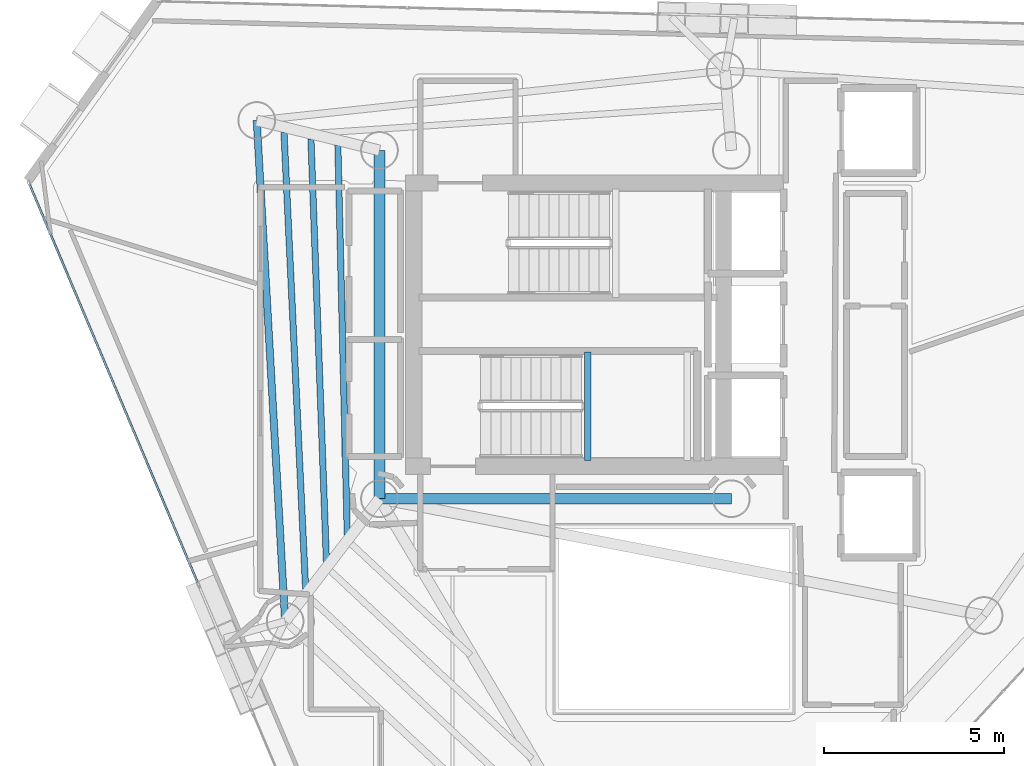
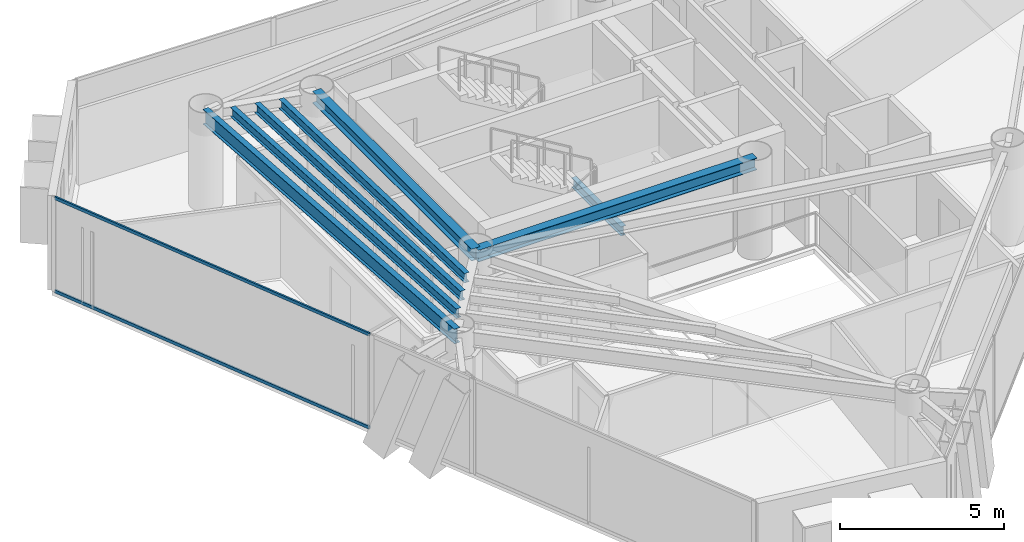
# One storey, part 7 of 21: 7 beams, 2 members, 1 element without a shape of its own.
"""IFC4 building model written with IfcOpenShell, lengths in metres."""

from ifc_helpers import new_model, si_unit, direction, frame, origin, origin_2d, place, context, subcontext, project, spatial, hollow_rectangle, i_section, extrude, material, layer, layer_set, material_profile, profile_set, type_object, element, aggregate, save


model = new_model("IFC4")

# Units and contexts
model_context = context("Model", 3, precision=1e-05, world=origin(), true_north=direction((0.0, 1.0)))
body_context = subcontext(model_context, "Body", "Model", "MODEL_VIEW")
ifc_project = project(units=[si_unit("LENGTHUNIT", "METRE"), si_unit("AREAUNIT", "SQUARE_METRE"), si_unit("VOLUMEUNIT", "CUBIC_METRE"), si_unit("PLANEANGLEUNIT", "RADIAN"), si_unit("MASSUNIT", "GRAM", prefix="KILO")], contexts=[model_context])

# Site, building, storey
site_placement = place(None, origin())
site = spatial("IfcSite", under=ifc_project, at=site_placement, CompositionType="ELEMENT")
building_placement = place(site_placement, origin())
building = spatial("IfcBuilding", under=site, at=building_placement, Name="Qianvela Tower", CompositionType="ELEMENT")
storey_placement = place(building_placement, frame((0.0, 0.0, 246.39990234375)))
storey = spatial("IfcBuildingStorey", under=building, at=storey_placement, Name="L63", CompositionType="ELEMENT", Elevation=246.39990234375)

# Beams
ifc_material_1 = material(Name="Steel Q355B", Category="steel")
ifc_material_profile_1 = material_profile(ifc_material_1, i_section(OverallWidth=0.300048828125, OverallDepth=0.43994140625, WebThickness=0.010986328125, FlangeThickness=0.01806640625, at=origin_2d()), Name="HM440x300x11x18")
ifc_profile_set_1 = profile_set([ifc_material_profile_1], Name="Steel Q355B")
beam_type_1 = type_object("IfcBeamType", Name="BM-HM440-COLL", PredefinedType="BEAM", material=ifc_profile_set_1)
beam_1_placement = place(storey_placement, frame((28.60009765625, 23.85009765625, 3.298095703125), z_axis=(1.0, 0.0, 0.0), x_axis=(0.0, 1.0, 0.0)))
element("IfcBeam", 1, at=beam_1_placement, inside=storey, type_object=beam_type_1, Name="L63 Core Ring Collector Girder CC1", PredefinedType="BEAM", context=body_context, shape_type="SweptSolid", body=[
    extrude(i_section(OverallWidth=0.300048828125, OverallDepth=0.43994140625, WebThickness=0.010986328125, FlangeThickness=0.01806640625, at=origin_2d()), origin(), (0.0, 0.0, 1.0), 9.7998046875),
])
beam_2_placement = place(storey_placement, frame((28.60009765625, 33.550048828125, 3.298095703125), z_axis=(0.0, -1.0, 0.0), x_axis=(1.0, 0.0, 0.0)))
element("IfcBeam", 2, at=beam_2_placement, inside=storey, type_object=beam_type_1, Name="L63 Core Ring Collector Girder CC2", PredefinedType="BEAM", context=body_context, shape_type="SweptSolid", body=[
    extrude(i_section(OverallWidth=0.300048828125, OverallDepth=0.43994140625, WebThickness=0.010986328125, FlangeThickness=0.01806640625, at=origin_2d()), origin(), (0.0, 0.0, 1.0), 9.699951171875),
])
ifc_material_2 = material(Name="Steel Q355B", Category="steel")
ifc_material_profile_2 = material_profile(ifc_material_2, i_section(OverallWidth=0.175048828125, OverallDepth=0.35009765625, WebThickness=0.007080078125, FlangeThickness=0.010986328125, at=origin_2d()), Name="HN350x175x7x11")
ifc_profile_set_2 = profile_set([ifc_material_profile_2], Name="Steel Q355B")
beam_type_2 = type_object("IfcBeamType", Name="BM-HN350-JOIST", PredefinedType="JOIST", material=ifc_profile_set_2)
beam_3_placement = place(storey_placement, frame((27.44140625, 33.6875, 3.343017578125), z_axis=(0.024087497273, -0.999709854145, 0.0), x_axis=(0.999709854145, 0.024087497273, 0.0)))
element("IfcBeam", 3, at=beam_3_placement, inside=storey, type_object=beam_type_2, Name="L63 Secondary Composite Floor Joist 3.1", PredefinedType="JOIST", context=body_context, shape_type="SweptSolid", body=[
    extrude(i_section(OverallWidth=0.175048828125, OverallDepth=0.35009765625, WebThickness=0.007080078125, FlangeThickness=0.010986328125, at=origin_2d()), origin(), (0.0, 0.0, 1.0), 10.855224609375),
])
beam_4_placement = place(storey_placement, frame((26.69140625, 33.87109375, 3.343017578125), z_axis=(0.036597460417, -0.999330088555, 0.0), x_axis=(0.999330088555, 0.036597460417, 0.0)))
element("IfcBeam", 4, at=beam_4_placement, inside=storey, type_object=beam_type_2, Name="L63 Secondary Composite Floor Joist 3.2", PredefinedType="JOIST", context=body_context, shape_type="SweptSolid", body=[
    extrude(i_section(OverallWidth=0.175048828125, OverallDepth=0.35009765625, WebThickness=0.007080078125, FlangeThickness=0.010986328125, at=origin_2d()), origin(), (0.0, 0.0, 1.0), 11.794189453125),
])
beam_5_placement = place(storey_placement, frame((25.94091796875, 34.0546875, 3.343017578125), z_axis=(0.04729372403, -0.998881025782, 0.0), x_axis=(0.998881025782, 0.04729372403, 0.0)))
element("IfcBeam", 5, at=beam_5_placement, inside=storey, type_object=beam_type_2, Name="L63 Secondary Composite Floor Joist 3.3", PredefinedType="JOIST", context=body_context, shape_type="SweptSolid", body=[
    extrude(i_section(OverallWidth=0.175048828125, OverallDepth=0.35009765625, WebThickness=0.007080078125, FlangeThickness=0.010986328125, at=origin_2d()), origin(), (0.0, 0.0, 1.0), 12.735107421875),
])
beam_6_placement = place(storey_placement, frame((34.39990234375, 24.919921875, 1.47509765625), z_axis=(0.0, 1.0, 0.0), x_axis=(-1.0, 0.0, 0.0)))
element("IfcBeam", 6, at=beam_6_placement, inside=storey, type_object=beam_type_2, Name="L63 Stair ST-2 Landing Support Beam 1.1", PredefinedType="JOIST", context=body_context, shape_type="SweptSolid", body=[
    extrude(i_section(OverallWidth=0.175048828125, OverallDepth=0.35009765625, WebThickness=0.007080078125, FlangeThickness=0.010986328125, at=origin_2d()), origin(), (0.0, 0.0, 1.0), 3.02001953125),
])
ifc_material_3 = material(Name="Steel Q355B", Category="steel")
ifc_material_profile_3 = material_profile(ifc_material_3, i_section(OverallWidth=0.199951171875, OverallDepth=0.550048828125, WebThickness=0.010009765625, FlangeThickness=0.01611328125, at=origin_2d()), Name="HN550x200x10x16")
ifc_profile_set_3 = profile_set([ifc_material_profile_3], Name="Steel Q355B")
beam_type_3 = type_object("IfcBeamType", Name="BM-HN550-GIRD", PredefinedType="BEAM", material=ifc_profile_set_3)
beam_7_placement = place(storey_placement, frame((25.181884765625, 34.384033203125, 3.2431640625), z_axis=(0.056555056691, -0.998399481952, 0.0), x_axis=(0.998399481952, 0.056555056691, 0.0)))
element("IfcBeam", 7, at=beam_7_placement, inside=storey, type_object=beam_type_3, Name="L63 Perimeter Ring Spandrel Girder 3", PredefinedType="BEAM", context=body_context, shape_type="SweptSolid", body=[
    extrude(i_section(OverallWidth=0.199951171875, OverallDepth=0.550048828125, WebThickness=0.010009765625, FlangeThickness=0.01611328125, at=origin_2d()), origin(), (0.0, 0.0, 1.0), 13.969482421875),
])

# Curtain wall, members
ifc_material_4 = material(Name="Anodised Architectural Aluminium and Low-E Glass", Category="aluminium")
ifc_layer = layer(ifc_material_4, 0.159912109375)
ifc_layer_set = layer_set([ifc_layer], Name="Anodised Architectural Aluminium and Low-E Glass")
curtain_wall_type = type_object("IfcCurtainWallType", Name="CW-COLIV-Z56", PredefinedType="USERDEFINED", material=ifc_layer_set)
curtain_wall_placement = place(storey_placement, origin())
curtain_wall = element("IfcCurtainWall", 8, at=curtain_wall_placement, inside=storey, type_object=curtain_wall_type, Name="L63 CW-COLIV-Z56 Curtain Wall 04A", ObjectType="CURTAIN_WALL_SYSTEM", PredefinedType="USERDEFINED")
ifc_material_5 = material(Name="Anodised Architectural Aluminium 6063-T6", Category="aluminium")
ifc_material_profile_4 = material_profile(ifc_material_5, hollow_rectangle(XDim=0.06005859375, YDim=0.114990234375, WallThickness=0.00390625, at=origin_2d()), Name="ALU-TRAN-60x115")
ifc_profile_set_4 = profile_set([ifc_material_profile_4], Name="Anodised Architectural Aluminium 6063-T6")
member_type = type_object("IfcMemberType", Name="CW-COLIV-Z56-TRAN", PredefinedType="USERDEFINED", material=ifc_profile_set_4)
member_1_placement = place(storey_placement, frame((18.85400390625, 32.603271484375, 0.030029296875), z_axis=(0.388816888513, -0.921315053175, 0.0), x_axis=(0.921315053175, 0.388816888513, 0.0)))
member_1 = element("IfcMember", 9, at=member_1_placement, type_object=member_type, Name="CW-5 transom 1.1", ObjectType="TRANSOM", PredefinedType="USERDEFINED", context=body_context, shape_type="SweptSolid", body=[
    extrude(hollow_rectangle(XDim=0.06005859375, YDim=0.114990234375, WallThickness=0.00390625, at=origin_2d()), origin(), (0.0, 0.0, 1.0), 12.02001953125),
])
member_2_placement = place(storey_placement, frame((18.85400390625, 32.603271484375, 3.489990234375), z_axis=(0.388816888513, -0.921315053175, 0.0), x_axis=(0.921315053175, 0.388816888513, 0.0)))
member_2 = element("IfcMember", 10, at=member_2_placement, type_object=member_type, Name="CW-5 transom 1.2", ObjectType="TRANSOM", PredefinedType="USERDEFINED", context=body_context, shape_type="SweptSolid", body=[
    extrude(hollow_rectangle(XDim=0.06005859375, YDim=0.114990234375, WallThickness=0.00390625, at=origin_2d()), origin(), (0.0, 0.0, 1.0), 12.02001953125),
])
aggregate(curtain_wall, [member_1, member_2])

save(model, "model.ifc")
